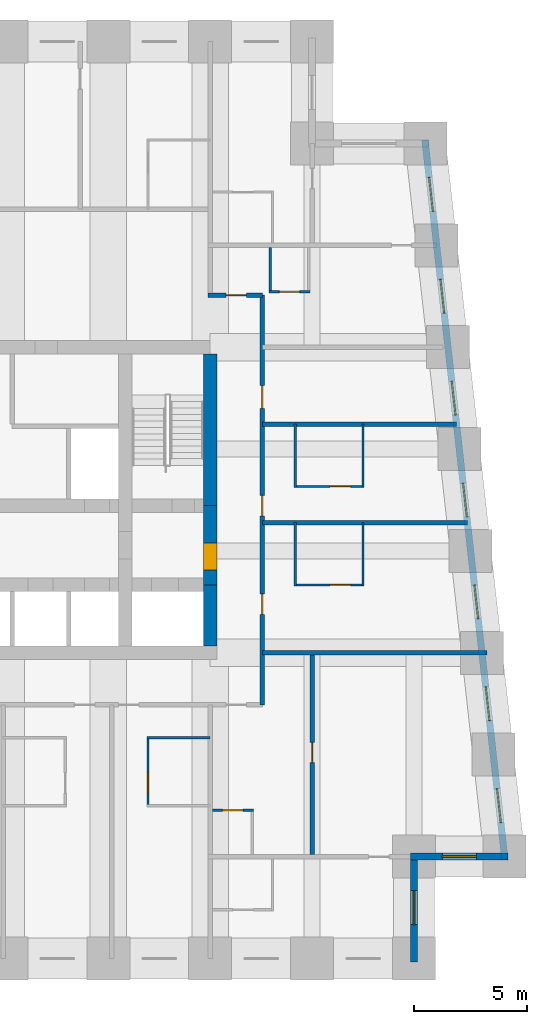
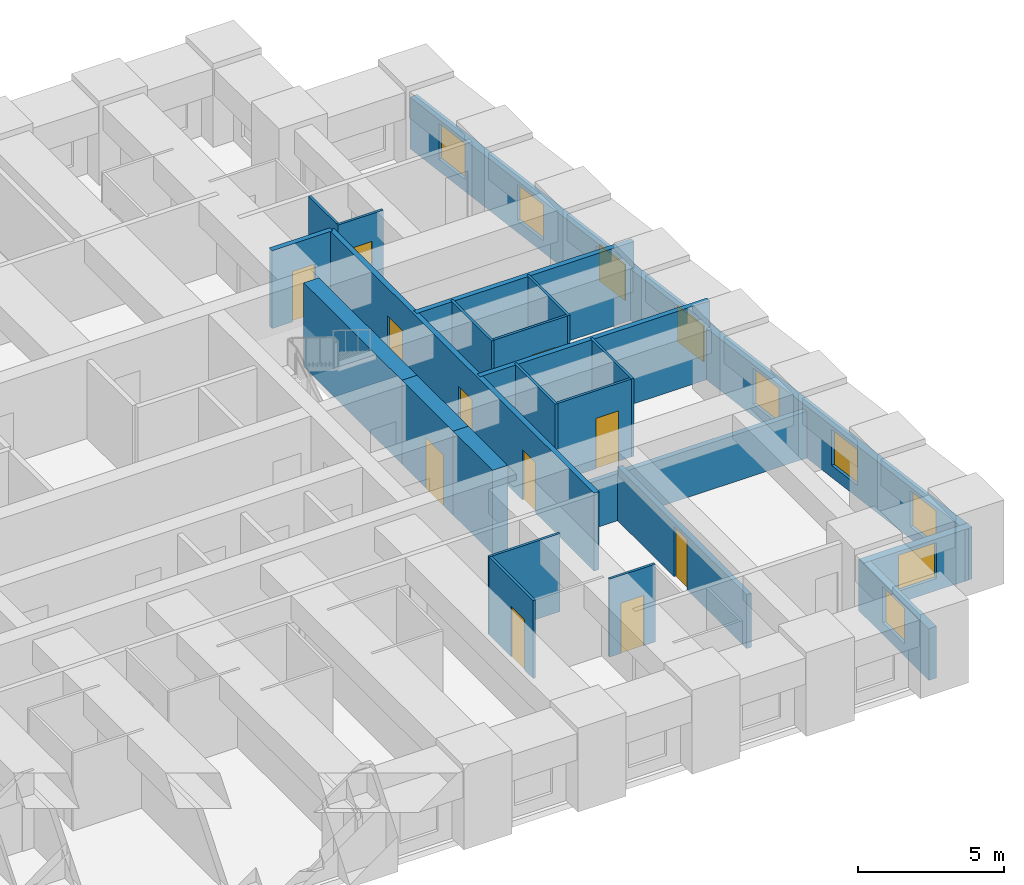
# One storey, part 5 of 8: 23 walls, 11 doors, 9 windows, 20 openings.
"""IFC4 building model written with IfcOpenShell, lengths in metres."""

import ifcopenshell
import ifcopenshell.guid

model = None  # the IFC model being written
_history = None  # IfcOwnerHistory: only IFC2X3 demands one
_inside = {}  # id of a spatial element -> (the spatial element, [elements in it])
_under = {}  # id of a project, library or spatial element -> (it, [spatial elements below it])
_declared = {}  # id of a project -> (the project, [libraries it declares])
_typed = {}  # id of a type object -> (the type object, [elements of that type])
_made_of = {}  # id of a material, layer set ... -> (it, [elements and type objects made of it])


def new_model(schema):
    """Start an empty IFC model of exactly this schema.

    Asked for "IFC4X3", IfcOpenShell would pick the latest addendum, in which some entities
    have other attributes; the version numbers below select the first issue.
    IFC2X3 requires an IfcOwnerHistory on every rooted entity: one is made here for all.
    """
    global model, _history
    if schema == "IFC4X3":
        model = ifcopenshell.file(schema_version=(4, 3, 0, 0))
    else:
        model = ifcopenshell.file(schema=schema)
    _inside.clear()
    _under.clear()
    _declared.clear()
    _typed.clear()
    _made_of.clear()
    _history = None
    if model.schema == "IFC2X3":
        org = make("IfcOrganization", Name="unknown")
        user = make(
            "IfcPersonAndOrganization",
            ThePerson=make("IfcPerson", FamilyName="unknown"),
            TheOrganization=org,
        )
        app = make(
            "IfcApplication",
            ApplicationDeveloper=org,
            Version="unknown",
            ApplicationFullName="unknown",
            ApplicationIdentifier="unknown",
        )
        _history = make(
            "IfcOwnerHistory",
            OwningUser=user,
            OwningApplication=app,
            ChangeAction="ADDED",
            CreationDate=0,
        )
    return model


def make(cls, **values):
    """One entity of the class cls with the attributes given. An attribute that is None is left unset."""
    return model.create_entity(
        cls, **{name: value for name, value in values.items() if value is not None}
    )


def rooted(cls, **values):
    """An entity with a GlobalId (a new one), such as an element, a storey or a relation."""
    return make(cls, GlobalId=ifcopenshell.guid.new(), OwnerHistory=_history, **values)


def si_unit(unit_type, name, prefix=None):
    """IfcSIUnit, for example si_unit("LENGTHUNIT", "METRE", prefix="MILLI")."""
    return make("IfcSIUnit", UnitType=unit_type, Prefix=prefix, Name=name)


def assignment(units):
    """IfcUnitAssignment: the units of a project."""
    return None if units is None else make("IfcUnitAssignment", Units=units)


def point(xyz):
    """IfcCartesianPoint."""
    return None if xyz is None else make("IfcCartesianPoint", Coordinates=xyz)


def direction(xyz):
    """IfcDirection."""
    return None if xyz is None else make("IfcDirection", DirectionRatios=xyz)


def frame(location, z_axis=None, x_axis=None):
    """IfcAxis2Placement3D, a coordinate frame: its origin and axes. An axis left out is left unset."""
    return make(
        "IfcAxis2Placement3D",
        Location=point(location),
        Axis=direction(z_axis),
        RefDirection=direction(x_axis),
    )


def frame_2d(location, x_axis=None):
    """IfcAxis2Placement2D, a coordinate frame in the plane: its origin and x axis."""
    return make(
        "IfcAxis2Placement2D", Location=point(location), RefDirection=direction(x_axis)
    )


def origin():
    """The frame at (0, 0, 0) with its axes left unset."""
    return frame((0.0, 0.0, 0.0))


def place(relative_to, where):
    """IfcLocalPlacement: puts the frame where relative to a parent placement (None: the world)."""
    return make(
        "IfcLocalPlacement", PlacementRelTo=relative_to, RelativePlacement=where
    )


def context(
    kind, dimensions, precision=None, world=None, true_north=None, identifier=None
):
    """IfcGeometricRepresentationContext, for example the 3D "Model" context."""
    return make(
        "IfcGeometricRepresentationContext",
        ContextIdentifier=identifier,
        ContextType=kind,
        CoordinateSpaceDimension=dimensions,
        Precision=precision,
        WorldCoordinateSystem=world,
        TrueNorth=true_north,
    )


def subcontext(parent, identifier, kind, view, scale=None):
    """IfcGeometricRepresentationSubContext, for example "Body" below "Model"."""
    return make(
        "IfcGeometricRepresentationSubContext",
        ContextIdentifier=identifier,
        ContextType=kind,
        ParentContext=parent,
        TargetScale=scale,
        TargetView=view,
    )


def project(units=None, contexts=None):
    """IfcProject with its units and contexts."""
    return rooted(
        "IfcProject",
        Name="project",
        RepresentationContexts=contexts,
        UnitsInContext=assignment(units),
    )


def spatial(cls, under=None, at=None, **own):
    """A site, building, storey or space (cls), placed at a placement, below another one or the project."""
    s = rooted(cls, ObjectPlacement=at, **own)
    if under is not None:
        _under.setdefault(under.id(), (under, []))[1].append(s)
    return s


def profile(cls, at=None, kind="AREA", **sizes):
    """A parametric profile (cls). Its sizes go by their IFC names, for example OverallWidth=200.0."""
    return make(cls, ProfileType=kind, Position=at, **sizes)


def rectangle(**sizes):
    """IfcRectangleProfileDef."""
    return profile("IfcRectangleProfileDef", **sizes)


def extrude(swept, where, along, depth):
    """IfcExtrudedAreaSolid: the profile swept, set in the frame where, extruded along a direction by depth."""
    return make(
        "IfcExtrudedAreaSolid",
        SweptArea=swept,
        Position=where,
        ExtrudedDirection=direction(along),
        Depth=depth,
    )


def shape(context_of_items, identifier, shape_type, items):
    """IfcShapeRepresentation: the items that make up one representation, for example the "Body"."""
    return make(
        "IfcShapeRepresentation",
        ContextOfItems=context_of_items,
        RepresentationIdentifier=identifier,
        RepresentationType=shape_type,
        Items=items,
    )


def material(Name=None, Category=None):
    """IfcMaterial."""
    return make("IfcMaterial", Name=Name, Category=Category)


def layer(
    of_material, thickness, ventilated=None, Name=None, Category=None, Priority=None
):
    """IfcMaterialLayer: one layer of a wall or slab, of a material (None: an air gap)."""
    return make(
        "IfcMaterialLayer",
        Material=of_material,
        LayerThickness=thickness,
        IsVentilated=ventilated,
        Name=Name,
        Category=Category,
        Priority=Priority,
    )


def layer_set(layers, Name=None):
    """IfcMaterialLayerSet."""
    return make("IfcMaterialLayerSet", MaterialLayers=layers, LayerSetName=Name)


def made_of(thing, what):
    """Note that an element or type object is made of a material, layer set ...; save() writes the relation."""
    if what is not None:
        _made_of.setdefault(what.id(), (what, []))[1].append(thing)
    return thing


def type_object(cls, material=None, **own):
    """A type object (cls), such as IfcWallType, which elements share."""
    return made_of(rooted(cls, **own), material)


def element(
    cls,
    number,
    at=None,
    inside=None,
    cuts=None,
    type_object=None,
    material=None,
    context=None,
    identifier="Body",
    shape_type=None,
    held_by="IfcProductDefinitionShape",
    body=None,
    shapes=None,
    **own,
):
    """One element of the class cls, such as IfcWall. Its Tag is "e" and its number.

    at: its placement. inside: the storey or other place that contains it. cuts: it is an
    opening in that element (IfcRelVoidsElement). A single representation is given by context,
    identifier, shape_type and body (its items); several are given by shapes. held_by: the class
    of the entity that holds the representations. save() writes the other relations.
    """
    e = rooted(cls, Tag="e%d" % number, ObjectPlacement=at, **own)
    if body is not None:
        shapes = [shape(context, identifier, shape_type, body)]
    if shapes is not None:
        e.Representation = make(held_by, Representations=shapes)
    if inside is not None:
        _inside.setdefault(inside.id(), (inside, []))[1].append(e)
    if cuts is not None:
        rooted(
            "IfcRelVoidsElement", RelatingBuildingElement=cuts, RelatedOpeningElement=e
        )
    if type_object is not None:
        _typed.setdefault(type_object.id(), (type_object, []))[1].append(e)
    return made_of(e, material)


def fill(opening, filler):
    """IfcRelFillsElement: the door or window that sits in an opening."""
    return rooted(
        "IfcRelFillsElement",
        RelatingOpeningElement=opening,
        RelatedBuildingElement=filler,
    )


def aggregate(whole, parts):
    """IfcRelAggregates: a whole, such as a stair, and the parts it consists of."""
    return rooted("IfcRelAggregates", RelatingObject=whole, RelatedObjects=parts)


def save(model, path):
    """Write the relations noted so far, then the file.

    IfcRelAggregates (storeys below a building ...), IfcRelContainedInSpatialStructure (elements
    in a storey), IfcRelDefinesByType, IfcRelAssociatesMaterial and IfcRelDeclares: one each for
    every whole, place, type object, material and project.
    """
    for whole, parts in _under.values():
        aggregate(whole, parts)
    for where, things in _inside.values():
        rooted(
            "IfcRelContainedInSpatialStructure",
            RelatedElements=things,
            RelatingStructure=where,
        )
    for kind, things in _typed.values():
        rooted("IfcRelDefinesByType", RelatedObjects=things, RelatingType=kind)
    for what, things in _made_of.values():
        rooted("IfcRelAssociatesMaterial", RelatedObjects=things, RelatingMaterial=what)
    for by, libraries in _declared.values():
        rooted("IfcRelDeclares", RelatingContext=by, RelatedDefinitions=libraries)
    model.write(path)


model = new_model("IFC4")

# Units and contexts
model_context = context("Model", 3, precision=1e-05, world=origin(), true_north=direction((0.0, 1.0)))
body_context = subcontext(model_context, "Body", "Model", "MODEL_VIEW")
ifc_project = project(units=[si_unit("LENGTHUNIT", "METRE"), si_unit("AREAUNIT", "SQUARE_METRE"), si_unit("VOLUMEUNIT", "CUBIC_METRE"), si_unit("PLANEANGLEUNIT", "RADIAN"), si_unit("MASSUNIT", "GRAM", prefix="KILO")], contexts=[model_context])

# Site, building, storey
site_placement = place(None, origin())
site = spatial("IfcSite", under=ifc_project, at=site_placement, CompositionType="ELEMENT")
building_placement = place(site_placement, origin())
building = spatial("IfcBuilding", under=site, at=building_placement, Name="Kilele Tower Hotel", CompositionType="ELEMENT")
storey_placement = place(building_placement, frame((0.0, 0.0, 103.89990234375)))
storey = spatial("IfcBuildingStorey", under=building, at=storey_placement, Name="L26", CompositionType="ELEMENT", Elevation=103.89990234375)

# Wall
ifc_material_1 = material(Name="Moisture-resistant board")
ifc_layer_1 = layer(ifc_material_1, 0.10009765625)
ifc_layer_set_1 = layer_set([ifc_layer_1], Name="Moisture-resistant board")
wall_type_1 = type_object("IfcWallType", Name="Bathroom partition 100", PredefinedType="PLUMBINGWALL", material=ifc_layer_set_1)
wall_1_placement = place(storey_placement, frame((33.199951171875, 9.75, 0.0), z_axis=(0.0, 0.0, 1.0), x_axis=(1.0, 0.0, 0.0)))
element("IfcWall", 1, at=wall_1_placement, inside=storey, type_object=wall_type_1, Name="Bathroom partition 100 L26", PredefinedType="PLUMBINGWALL", context=body_context, shape_type="SweptSolid", body=[
    extrude(rectangle(XDim=2.800048828125, YDim=0.10009765625, at=frame_2d((1.39990234375, 0.0))), origin(), (0.0, 0.0, 1.0), 3.25),
])

# Wall, opening, door
wall_2_placement = place(storey_placement, frame((33.25, 9.800048828125, 0.0), z_axis=(0.0, 0.0, 1.0), x_axis=(0.0, -1.0, 0.0)))
wall_2 = element("IfcWall", 2, at=wall_2_placement, inside=storey, type_object=wall_type_1, Name="Bathroom partition 100 L26", PredefinedType="PLUMBINGWALL", context=body_context, shape_type="SweptSolid", body=[
    extrude(rectangle(XDim=3.10009765625, YDim=0.10009765625, at=frame_2d((1.550048828125, 0.0))), origin(), (0.0, 0.0, 1.0), 3.25),
])
opening_1_placement = place(wall_2_placement, frame((2.5, 0.0, 0.0), z_axis=(0.0, 0.0, 1.0), x_axis=(-1.0, 0.0, 0.0)))
opening_1 = element("IfcOpeningElement", 3, at=opening_1_placement, cuts=wall_2, Name="Opening D2A", PredefinedType="OPENING", context=body_context, shape_type="SweptSolid", body=[
    extrude(rectangle(XDim=0.89990234375, YDim=2.10009765625, at=frame_2d((0.449951171875, 1.050048828125))), frame((0.0, 0.06005859375, 0.0), z_axis=(0.0, -1.0, 0.0), x_axis=(1.0, 0.0, 0.0)), (0.0, 0.0, 1.0), 0.1201171875),
])
ifc_material_2 = material(Name="Timber door leaf in hardwood frame", Category="wood")
door_type_1 = type_object("IfcDoorType", Name="Bathroom door 900", OperationType="SINGLE_SWING_LEFT", PredefinedType="DOOR", material=ifc_material_2)
door_1_placement = place(opening_1_placement, origin())
door_1 = element("IfcDoor", 4, at=door_1_placement, inside=storey, type_object=door_type_1, Name="Bathroom door 2605B", OperationType="SINGLE_SWING_LEFT", OverallHeight=2.10009765625, OverallWidth=0.89990234375, PredefinedType="DOOR", context=body_context, shape_type="SweptSolid", body=[
    extrude(rectangle(XDim=0.89990234375, YDim=2.10009765625, at=frame_2d((0.449951171875, 1.050048828125))), frame((0.0, 0.02490234375, 0.0), z_axis=(0.0, -1.0, 0.0), x_axis=(1.0, 0.0, 0.0)), (0.0, 0.0, 1.0), 0.050048828125),
])
fill(opening_1, door_1)

# Walls
for number, where, z_axis, x_axis, name in (
    (5, (39.75, 16.449951171875, 0.0), (0.0, 0.0, 1.0), (0.0, 1.0, 0.0), "Bathroom partition 100 L26"),
    (6, (42.75, 16.449951171875, 0.0), (0.0, 0.0, 1.0), (0.0, 1.0, 0.0), "Bathroom partition 100 L26"),
):
    element("IfcWall", number, at=place(storey_placement, frame(where, z_axis=z_axis, x_axis=x_axis)), inside=storey, type_object=wall_type_1, Name=name, PredefinedType="PLUMBINGWALL", context=body_context, shape_type="SweptSolid", body=[
        extrude(rectangle(XDim=2.800048828125, YDim=0.10009765625, at=frame_2d((1.39990234375, 0.0))), origin(), (0.0, 0.0, 1.0), 3.25),
    ])

# Wall, opening, door
wall_3_placement = place(storey_placement, frame((39.699951171875, 16.5, 0.0), z_axis=(0.0, 0.0, 1.0), x_axis=(1.0, 0.0, 0.0)))
wall_3 = element("IfcWall", 7, at=wall_3_placement, inside=storey, type_object=wall_type_1, Name="Bathroom partition 100 L26", PredefinedType="PLUMBINGWALL", context=body_context, shape_type="SweptSolid", body=[
    extrude(rectangle(XDim=3.10009765625, YDim=0.10009765625, at=frame_2d((1.550048828125, 0.0))), origin(), (0.0, 0.0, 1.0), 3.25),
])
opening_2_placement = place(wall_3_placement, frame((2.5, 0.0, 0.0), z_axis=(0.0, 0.0, 1.0), x_axis=(-1.0, 0.0, 0.0)))
opening_2 = element("IfcOpeningElement", 8, at=opening_2_placement, cuts=wall_3, Name="Opening D2A", PredefinedType="OPENING", context=body_context, shape_type="SweptSolid", body=[
    extrude(rectangle(XDim=0.89990234375, YDim=2.10009765625, at=frame_2d((0.449951171875, 1.050048828125))), frame((0.0, 0.06005859375, 0.0), z_axis=(0.0, -1.0, 0.0), x_axis=(1.0, 0.0, 0.0)), (0.0, 0.0, 1.0), 0.1201171875),
])
door_2_placement = place(opening_2_placement, origin())
door_2 = element("IfcDoor", 9, at=door_2_placement, inside=storey, type_object=door_type_1, Name="Bathroom door 2606B", OperationType="SINGLE_SWING_LEFT", OverallHeight=2.10009765625, OverallWidth=0.89990234375, PredefinedType="DOOR", context=body_context, shape_type="SweptSolid", body=[
    extrude(rectangle(XDim=0.89990234375, YDim=2.10009765625, at=frame_2d((0.449951171875, 1.050048828125))), frame((0.0, 0.02490234375, 0.0), z_axis=(0.0, -1.0, 0.0), x_axis=(1.0, 0.0, 0.0)), (0.0, 0.0, 1.0), 0.050048828125),
])
fill(opening_2, door_2)

# Walls
for number, where, z_axis, x_axis, name in (
    (10, (39.75, 20.800048828125, 0.0), (0.0, 0.0, 1.0), (0.0, 1.0, 0.0), "Bathroom partition 100 L26"),
    (11, (42.75, 20.800048828125, 0.0), (0.0, 0.0, 1.0), (0.0, 1.0, 0.0), "Bathroom partition 100 L26"),
):
    element("IfcWall", number, at=place(storey_placement, frame(where, z_axis=z_axis, x_axis=x_axis)), inside=storey, type_object=wall_type_1, Name=name, PredefinedType="PLUMBINGWALL", context=body_context, shape_type="SweptSolid", body=[
        extrude(rectangle(XDim=2.800048828125, YDim=0.10009765625, at=frame_2d((1.39990234375, 0.0))), origin(), (0.0, 0.0, 1.0), 3.25),
    ])

# Wall, opening, door
wall_4_placement = place(storey_placement, frame((39.699951171875, 20.85009765625, 0.0), z_axis=(0.0, 0.0, 1.0), x_axis=(1.0, 0.0, 0.0)))
wall_4 = element("IfcWall", 12, at=wall_4_placement, inside=storey, type_object=wall_type_1, Name="Bathroom partition 100 L26", PredefinedType="PLUMBINGWALL", context=body_context, shape_type="SweptSolid", body=[
    extrude(rectangle(XDim=3.10009765625, YDim=0.10009765625, at=frame_2d((1.550048828125, 0.0))), origin(), (0.0, 0.0, 1.0), 3.25),
])
opening_3_placement = place(wall_4_placement, frame((2.5, 0.0, 0.0), z_axis=(0.0, 0.0, 1.0), x_axis=(-1.0, 0.0, 0.0)))
opening_3 = element("IfcOpeningElement", 13, at=opening_3_placement, cuts=wall_4, Name="Opening D2A", PredefinedType="OPENING", context=body_context, shape_type="SweptSolid", body=[
    extrude(rectangle(XDim=0.89990234375, YDim=2.10009765625, at=frame_2d((0.449951171875, 1.050048828125))), frame((0.0, 0.06005859375, 0.0), z_axis=(0.0, -1.0, 0.0), x_axis=(1.0, 0.0, 0.0)), (0.0, 0.0, 1.0), 0.1201171875),
])
door_3_placement = place(opening_3_placement, origin())
door_3 = element("IfcDoor", 14, at=door_3_placement, inside=storey, type_object=door_type_1, Name="Bathroom door 2607B", OperationType="SINGLE_SWING_LEFT", OverallHeight=2.10009765625, OverallWidth=0.89990234375, PredefinedType="DOOR", context=body_context, shape_type="SweptSolid", body=[
    extrude(rectangle(XDim=0.89990234375, YDim=2.10009765625, at=frame_2d((0.449951171875, 1.050048828125))), frame((0.0, 0.02490234375, 0.0), z_axis=(0.0, -1.0, 0.0), x_axis=(1.0, 0.0, 0.0)), (0.0, 0.0, 1.0), 0.050048828125),
])
fill(opening_3, door_3)

wall_5_placement = place(storey_placement, frame((36.10009765625, 6.550048828125, 0.0), z_axis=(0.0, 0.0, 1.0), x_axis=(1.0, 0.0, 0.0)))
wall_5 = element("IfcWall", 15, at=wall_5_placement, inside=storey, type_object=wall_type_1, Name="Bathroom partition 100 L26", PredefinedType="PLUMBINGWALL", context=body_context, shape_type="SweptSolid", body=[
    extrude(rectangle(XDim=1.7998046875, YDim=0.10009765625, at=frame_2d((0.89990234375, 0.0))), origin(), (0.0, 0.0, 1.0), 3.25),
])
opening_4_placement = place(wall_5_placement, frame((0.449951171875, 0.0, 0.0)))
opening_4 = element("IfcOpeningElement", 16, at=opening_4_placement, cuts=wall_5, Name="Opening D2A", PredefinedType="OPENING", context=body_context, shape_type="SweptSolid", body=[
    extrude(rectangle(XDim=0.89990234375, YDim=2.10009765625, at=frame_2d((0.449951171875, 1.050048828125))), frame((0.0, 0.06005859375, 0.0), z_axis=(0.0, -1.0, 0.0), x_axis=(1.0, 0.0, 0.0)), (0.0, 0.0, 1.0), 0.1201171875),
])
door_4_placement = place(opening_4_placement, origin())
door_4 = element("IfcDoor", 17, at=door_4_placement, inside=storey, type_object=door_type_1, Name="Bathroom door 2620P", OperationType="SINGLE_SWING_LEFT", OverallHeight=2.10009765625, OverallWidth=0.89990234375, PredefinedType="DOOR", context=body_context, shape_type="SweptSolid", body=[
    extrude(rectangle(XDim=0.89990234375, YDim=2.10009765625, at=frame_2d((0.449951171875, 1.050048828125))), frame((0.0, 0.02490234375, 0.0), z_axis=(0.0, -1.0, 0.0), x_axis=(1.0, 0.0, 0.0)), (0.0, 0.0, 1.0), 0.050048828125),
])
fill(opening_4, door_4)

# Wall
wall_6_placement = place(storey_placement, frame((38.64990234375, 31.39990234375, 0.0), z_axis=(0.0, 0.0, 1.0), x_axis=(0.0, -1.0, 0.0)))
element("IfcWall", 18, at=wall_6_placement, inside=storey, type_object=wall_type_1, Name="Bathroom partition 100 L26", PredefinedType="PLUMBINGWALL", context=body_context, shape_type="SweptSolid", body=[
    extrude(rectangle(XDim=2.0, YDim=0.10009765625, at=frame_2d((1.0, 0.0))), origin(), (0.0, 0.0, 1.0), 3.25),
])

# Wall, opening, door
wall_7_placement = place(storey_placement, frame((38.60009765625, 29.449951171875, 0.0), z_axis=(0.0, 0.0, 1.0), x_axis=(1.0, 0.0, 0.0)))
wall_7 = element("IfcWall", 19, at=wall_7_placement, inside=storey, type_object=wall_type_1, Name="Bathroom partition 100 L26", PredefinedType="PLUMBINGWALL", context=body_context, shape_type="SweptSolid", body=[
    extrude(rectangle(XDim=1.7998046875, YDim=0.10009765625, at=frame_2d((0.89990234375, 0.0))), origin(), (0.0, 0.0, 1.0), 3.25),
])
opening_5_placement = place(wall_7_placement, frame((1.349853515625, 0.0, 0.0), z_axis=(0.0, 0.0, 1.0), x_axis=(-1.0, 0.0, 0.0)))
opening_5 = element("IfcOpeningElement", 20, at=opening_5_placement, cuts=wall_7, Name="Opening D2A", PredefinedType="OPENING", context=body_context, shape_type="SweptSolid", body=[
    extrude(rectangle(XDim=0.89990234375, YDim=2.10009765625, at=frame_2d((0.449951171875, 1.050048828125))), frame((0.0, 0.06005859375, 0.0), z_axis=(0.0, -1.0, 0.0), x_axis=(1.0, 0.0, 0.0)), (0.0, 0.0, 1.0), 0.1201171875),
])
door_5_placement = place(opening_5_placement, origin())
door_5 = element("IfcDoor", 21, at=door_5_placement, inside=storey, type_object=door_type_1, Name="Bathroom door 2623P", OperationType="SINGLE_SWING_RIGHT", OverallHeight=2.10009765625, OverallWidth=0.89990234375, PredefinedType="DOOR", context=body_context, shape_type="SweptSolid", body=[
    extrude(rectangle(XDim=0.89990234375, YDim=2.10009765625, at=frame_2d((0.449951171875, 1.050048828125))), frame((0.0, 0.02490234375, 0.0), z_axis=(0.0, -1.0, 0.0), x_axis=(1.0, 0.0, 0.0)), (0.0, 0.0, 1.0), 0.050048828125),
])
fill(opening_5, door_5)

# Wall
ifc_material_3 = material(Name="Concrete C60/75", Category="concrete")
ifc_layer_2 = layer(ifc_material_3, 0.60009765625)
ifc_layer_set_2 = layer_set([ifc_layer_2], Name="Concrete C60/75")
wall_type_2 = type_object("IfcWallType", Name="Core wall 600 C60/75", PredefinedType="SHEAR", material=ifc_layer_set_2)
wall_8_placement = place(storey_placement, frame((36.0, 13.800048828125, 0.0), z_axis=(0.0, 0.0, 1.0), x_axis=(0.0, 1.0, 0.0)))
element("IfcWall", 22, at=wall_8_placement, inside=storey, type_object=wall_type_2, Name="Core wall E1 L26", PredefinedType="SHEAR", context=body_context, shape_type="SweptSolid", body=[
    extrude(rectangle(XDim=2.699951171875, YDim=0.60009765625, at=frame_2d((1.35009765625, 0.0))), origin(), (0.0, 0.0, 1.0), 3.5),
])

# Wall, opening, door
wall_9_placement = place(storey_placement, frame((36.0, 16.5, 0.0), z_axis=(0.0, 0.0, 1.0), x_axis=(0.0, 1.0, 0.0)))
wall_9 = element("IfcWall", 23, at=wall_9_placement, inside=storey, type_object=wall_type_2, Name="Core wall E2 L26", PredefinedType="SHEAR", context=body_context, shape_type="SweptSolid", body=[
    extrude(rectangle(XDim=3.5, YDim=0.60009765625, at=frame_2d((1.75, 0.0))), origin(), (0.0, 0.0, 1.0), 3.5),
])
opening_6_placement = place(wall_9_placement, frame((0.64990234375, 0.0, 0.0)))
opening_6 = element("IfcOpeningElement", 24, at=opening_6_placement, cuts=wall_9, Name="Opening D4", PredefinedType="OPENING", context=body_context, shape_type="SweptSolid", body=[
    extrude(rectangle(XDim=1.199951171875, YDim=2.10009765625, at=frame_2d((0.60009765625, 1.050048828125))), frame((0.0, 0.31005859375, 0.0), z_axis=(0.0, -1.0, 0.0), x_axis=(1.0, 0.0, 0.0)), (0.0, 0.0, 1.0), 0.6201171875),
])
ifc_material_4 = material(Name="Timber door leaf in hardwood frame", Category="wood")
door_type_2 = type_object("IfcDoorType", Name="Firefighting lobby door 1200", OperationType="SINGLE_SWING_LEFT", PredefinedType="DOOR", material=ifc_material_4)
door_6_placement = place(opening_6_placement, origin())
door_6 = element("IfcDoor", 25, at=door_6_placement, inside=storey, type_object=door_type_2, Name="Lobby door L26", OperationType="SINGLE_SWING_LEFT", OverallHeight=2.10009765625, OverallWidth=1.199951171875, PredefinedType="DOOR", context=body_context, shape_type="SweptSolid", body=[
    extrude(rectangle(XDim=1.199951171875, YDim=2.10009765625, at=frame_2d((0.60009765625, 1.050048828125))), frame((0.0, 0.2998046875, 0.0), z_axis=(0.0, -1.0, 0.0), x_axis=(1.0, 0.0, 0.0)), (0.0, 0.0, 1.0), 0.599609375),
])
fill(opening_6, door_6)

# Wall
wall_10_placement = place(storey_placement, frame((36.0, 20.0, 0.0), z_axis=(0.0, 0.0, 1.0), x_axis=(0.0, 1.0, 0.0)))
element("IfcWall", 26, at=wall_10_placement, inside=storey, type_object=wall_type_2, Name="Core wall E3 L26", PredefinedType="SHEAR", context=body_context, shape_type="SweptSolid", body=[
    extrude(rectangle(XDim=6.699951171875, YDim=0.60009765625, at=frame_2d((3.35009765625, 0.0))), origin(), (0.0, 0.0, 1.0), 3.5),
])

# Wall, opening, door
ifc_material_5 = material(Name="Blockwork, plastered both sides", Category="masonry")
ifc_layer_3 = layer(ifc_material_5, 0.199951171875)
ifc_layer_set_3 = layer_set([ifc_layer_3], Name="Blockwork, plastered both sides")
wall_type_3 = type_object("IfcWallType", Name="Corridor wall 200", PredefinedType="PARTITIONING", material=ifc_layer_set_3)
wall_11_placement = place(storey_placement, frame((35.89990234375, 29.300048828125, 0.0), z_axis=(0.0, 0.0, 1.0), x_axis=(1.0, 0.0, 0.0)))
wall_11 = element("IfcWall", 27, at=wall_11_placement, inside=storey, type_object=wall_type_3, Name="Corridor wall 200 L26", PredefinedType="PARTITIONING", context=body_context, shape_type="SweptSolid", body=[
    extrude(rectangle(XDim=2.400146484375, YDim=0.199951171875, at=frame_2d((1.2001953125, 0.0))), origin(), (0.0, 0.0, 1.0), 3.25),
])
opening_7_placement = place(wall_11_placement, frame((0.800048828125, 0.0, 0.0)))
opening_7 = element("IfcOpeningElement", 28, at=opening_7_placement, cuts=wall_11, Name="Opening D1", PredefinedType="OPENING", context=body_context, shape_type="SweptSolid", body=[
    extrude(rectangle(XDim=0.89990234375, YDim=2.10009765625, at=frame_2d((0.449951171875, 1.050048828125))), frame((0.0, 0.10986328125, 0.0), z_axis=(0.0, -1.0, 0.0), x_axis=(1.0, 0.0, 0.0)), (0.0, 0.0, 1.0), 0.219970703125),
])
ifc_material_6 = material(Name="Timber door leaf in hardwood frame", Category="wood")
door_type_3 = type_object("IfcDoorType", Name="Guest room entrance door 900", OperationType="SINGLE_SWING_LEFT", PredefinedType="DOOR", material=ifc_material_6)
door_7_placement = place(opening_7_placement, origin())
door_7 = element("IfcDoor", 29, at=door_7_placement, inside=storey, type_object=door_type_3, Name="Room entrance 2623", OperationType="SINGLE_SWING_LEFT", OverallHeight=2.10009765625, OverallWidth=0.89990234375, PredefinedType="DOOR", context=body_context, shape_type="SweptSolid", body=[
    extrude(rectangle(XDim=0.89990234375, YDim=2.10009765625, at=frame_2d((0.449951171875, 1.050048828125))), frame((0.0, 0.02490234375, 0.0), z_axis=(0.0, -1.0, 0.0), x_axis=(1.0, 0.0, 0.0)), (0.0, 0.0, 1.0), 0.050048828125),
])
fill(opening_7, door_7)

# Wall, openings, doors
wall_12_placement = place(storey_placement, frame((38.300048828125, 11.199951171875, 0.0), z_axis=(0.0, 0.0, 1.0), x_axis=(0.0, 1.0, 0.0)))
wall_12 = element("IfcWall", 30, at=wall_12_placement, inside=storey, type_object=wall_type_3, Name="Corridor wall 200 L26", PredefinedType="PARTITIONING", context=body_context, shape_type="SweptSolid", body=[
    extrude(rectangle(XDim=18.10009765625, YDim=0.199951171875, at=frame_2d((9.050048828125, 0.0))), origin(), (0.0, 0.0, 1.0), 3.25),
])
opening_8_placement = place(wall_12_placement, frame((4.89990234375, 0.0, 0.0), z_axis=(0.0, 0.0, 1.0), x_axis=(-1.0, 0.0, 0.0)))
opening_8 = element("IfcOpeningElement", 31, at=opening_8_placement, cuts=wall_12, Name="Opening D1", PredefinedType="OPENING", context=body_context, shape_type="SweptSolid", body=[
    extrude(rectangle(XDim=0.89990234375, YDim=2.10009765625, at=frame_2d((0.449951171875, 1.050048828125))), frame((0.0, 0.10986328125, 0.0), z_axis=(0.0, -1.0, 0.0), x_axis=(1.0, 0.0, 0.0)), (0.0, 0.0, 1.0), 0.219970703125),
])
opening_9_placement = place(wall_12_placement, frame((9.25, 0.0, 0.0), z_axis=(0.0, 0.0, 1.0), x_axis=(-1.0, 0.0, 0.0)))
opening_9 = element("IfcOpeningElement", 32, at=opening_9_placement, cuts=wall_12, Name="Opening D1", PredefinedType="OPENING", context=body_context, shape_type="SweptSolid", body=[
    extrude(rectangle(XDim=0.89990234375, YDim=2.10009765625, at=frame_2d((0.449951171875, 1.050048828125))), frame((0.0, 0.10986328125, 0.0), z_axis=(0.0, -1.0, 0.0), x_axis=(1.0, 0.0, 0.0)), (0.0, 0.0, 1.0), 0.219970703125),
])
opening_10_placement = place(wall_12_placement, frame((14.10009765625, 0.0, 0.0), z_axis=(0.0, 0.0, 1.0), x_axis=(-1.0, 0.0, 0.0)))
opening_10 = element("IfcOpeningElement", 33, at=opening_10_placement, cuts=wall_12, Name="Opening D8", PredefinedType="OPENING", context=body_context, shape_type="SweptSolid", body=[
    extrude(rectangle(XDim=1.0, YDim=2.10009765625, at=frame_2d((0.5, 1.050048828125))), frame((0.0, 0.10986328125, 0.0), z_axis=(0.0, -1.0, 0.0), x_axis=(1.0, 0.0, 0.0)), (0.0, 0.0, 1.0), 0.219970703125),
])
ifc_material_7 = material(Name="Timber door leaf in hardwood frame", Category="wood")
door_type_4 = type_object("IfcDoorType", Name="Door 1000", OperationType="SINGLE_SWING_LEFT", PredefinedType="DOOR", material=ifc_material_7)
door_8_placement = place(opening_10_placement, origin())
door_8 = element("IfcDoor", 34, at=door_8_placement, inside=storey, type_object=door_type_4, Name="Room entrance 2608", OperationType="SINGLE_SWING_RIGHT", OverallHeight=2.10009765625, OverallWidth=1.0, PredefinedType="DOOR", context=body_context, shape_type="SweptSolid", body=[
    extrude(rectangle(XDim=1.0, YDim=2.10009765625, at=frame_2d((0.5, 1.050048828125))), frame((0.0, 0.02490234375, 0.0), z_axis=(0.0, -1.0, 0.0), x_axis=(1.0, 0.0, 0.0)), (0.0, 0.0, 1.0), 0.050048828125),
])
fill(opening_10, door_8)
door_9_placement = place(opening_8_placement, origin())
door_9 = element("IfcDoor", 35, at=door_9_placement, inside=storey, type_object=door_type_3, Name="Room entrance 2606", OperationType="SINGLE_SWING_RIGHT", OverallHeight=2.10009765625, OverallWidth=0.89990234375, PredefinedType="DOOR", context=body_context, shape_type="SweptSolid", body=[
    extrude(rectangle(XDim=0.89990234375, YDim=2.10009765625, at=frame_2d((0.449951171875, 1.050048828125))), frame((0.0, 0.02490234375, 0.0), z_axis=(0.0, -1.0, 0.0), x_axis=(1.0, 0.0, 0.0)), (0.0, 0.0, 1.0), 0.050048828125),
])
fill(opening_8, door_9)
door_10_placement = place(opening_9_placement, origin())
door_10 = element("IfcDoor", 36, at=door_10_placement, inside=storey, type_object=door_type_3, Name="Room entrance 2607", OperationType="SINGLE_SWING_RIGHT", OverallHeight=2.10009765625, OverallWidth=0.89990234375, PredefinedType="DOOR", context=body_context, shape_type="SweptSolid", body=[
    extrude(rectangle(XDim=0.89990234375, YDim=2.10009765625, at=frame_2d((0.449951171875, 1.050048828125))), frame((0.0, 0.02490234375, 0.0), z_axis=(0.0, -1.0, 0.0), x_axis=(1.0, 0.0, 0.0)), (0.0, 0.0, 1.0), 0.050048828125),
])
fill(opening_9, door_10)

# Wall, opening, door
ifc_material_8 = material(Name="Blockwork, plastered both sides", Category="masonry")
ifc_layer_4 = layer(ifc_material_8, 0.199951171875)
ifc_layer_set_4 = layer_set([ifc_layer_4], Name="Blockwork, plastered both sides")
wall_type_4 = type_object("IfcWallType", Name="Partition wall 200", PredefinedType="PARTITIONING", material=ifc_layer_set_4)
wall_13_placement = place(storey_placement, frame((40.5, 4.60009765625, 0.0), z_axis=(0.0, 0.0, 1.0), x_axis=(0.0, 1.0, 0.0)))
wall_13 = element("IfcWall", 37, at=wall_13_placement, inside=storey, type_object=wall_type_4, Name="Partition wall 200 L26", PredefinedType="PARTITIONING", context=body_context, shape_type="SweptSolid", body=[
    extrude(rectangle(XDim=8.7998046875, YDim=0.199951171875, at=frame_2d((4.39990234375, 0.0))), origin(), (0.0, 0.0, 1.0), 2.25),
])
opening_11_placement = place(wall_13_placement, frame((4.050048828125, 0.0, 0.0)))
opening_11 = element("IfcOpeningElement", 38, at=opening_11_placement, cuts=wall_13, Name="Opening D3", PredefinedType="OPENING", context=body_context, shape_type="SweptSolid", body=[
    extrude(rectangle(XDim=0.89990234375, YDim=2.10009765625, at=frame_2d((0.449951171875, 1.050048828125))), frame((0.0, 0.10986328125, 0.0), z_axis=(0.0, -1.0, 0.0), x_axis=(1.0, 0.0, 0.0)), (0.0, 0.0, 1.0), 0.219970703125),
])
ifc_material_9 = material(Name="Timber door leaf in hardwood frame", Category="wood")
door_type_5 = type_object("IfcDoorType", Name="Suite internal door 900", OperationType="SINGLE_SWING_LEFT", PredefinedType="DOOR", material=ifc_material_9)
door_11_placement = place(opening_11_placement, origin())
door_11 = element("IfcDoor", 39, at=door_11_placement, inside=storey, type_object=door_type_5, Name="Suite door 2621", OperationType="SINGLE_SWING_RIGHT", OverallHeight=2.10009765625, OverallWidth=0.89990234375, PredefinedType="DOOR", context=body_context, shape_type="SweptSolid", body=[
    extrude(rectangle(XDim=0.89990234375, YDim=2.10009765625, at=frame_2d((0.449951171875, 1.050048828125))), frame((0.0, 0.02490234375, 0.0), z_axis=(0.0, -1.0, 0.0), x_axis=(1.0, 0.0, 0.0)), (0.0, 0.0, 1.0), 0.050048828125),
])
fill(opening_11, door_11)

# Walls
ifc_material_10 = material(Name="Blockwork, plastered both sides", Category="masonry")
ifc_layer_5 = layer(ifc_material_10, 0.199951171875)
ifc_layer_set_5 = layer_set([ifc_layer_5], Name="Blockwork, plastered both sides")
wall_type_5 = type_object("IfcWallType", Name="Party wall 200", PredefinedType="PARTITIONING", material=ifc_layer_set_5)
wall_14_placement = place(storey_placement, frame((38.300048828125, 19.25, 0.0), z_axis=(0.0, 0.0, 1.0), x_axis=(1.0, 0.0, 0.0)))
element("IfcWall", 40, at=wall_14_placement, inside=storey, type_object=wall_type_5, Name="Party wall 200 L26", PredefinedType="PARTITIONING", context=body_context, shape_type="SweptSolid", body=[
    extrude(rectangle(XDim=9.06005859375, YDim=0.199951171875, at=frame_2d((4.530029296875, 0.0))), origin(), (0.0, 0.0, 1.0), 3.25),
])
wall_15_placement = place(storey_placement, frame((38.300048828125, 23.60009765625, 0.0), z_axis=(0.0, 0.0, 1.0), x_axis=(1.0, 0.0, 0.0)))
element("IfcWall", 41, at=wall_15_placement, inside=storey, type_object=wall_type_5, Name="Party wall 200 L26", PredefinedType="PARTITIONING", context=body_context, shape_type="SweptSolid", body=[
    extrude(rectangle(XDim=8.576904296875, YDim=0.199951171875, at=frame_2d((4.28857421875, 0.0))), origin(), (0.0, 0.0, 1.0), 3.25),
])
wall_16_placement = place(storey_placement, frame((38.300048828125, 13.5, 0.0), z_axis=(0.0, 0.0, 1.0), x_axis=(1.0, 0.0, 0.0)))
element("IfcWall", 42, at=wall_16_placement, inside=storey, type_object=wall_type_5, Name="Party wall 200 L26", PredefinedType="PARTITIONING", context=body_context, shape_type="SweptSolid", body=[
    extrude(rectangle(XDim=9.921142578125, YDim=0.199951171875, at=frame_2d((4.96044921875, 0.0))), origin(), (0.0, 0.0, 1.0), 1.9501953125),
])

# Wall, opening, window
ifc_material_11 = material(Name="Concrete C40/50 precast", Category="concrete")
ifc_layer_6 = layer(ifc_material_11, 0.260009765625, Name="Precast backing", Category="LoadBearing")
ifc_material_12 = material(Name="Reconstituted stone finish", Category="masonry")
ifc_layer_7 = layer(ifc_material_12, 0.0400390625, Name="Face mix", Category="Finish")
ifc_layer_set_6 = layer_set([ifc_layer_6, ifc_layer_7], Name="Precast concrete C40/50, reconstituted stone finish")
wall_type_6 = type_object("IfcWallType", Name="Precast stone facade wall 300", PredefinedType="STANDARD", material=ifc_layer_set_6)
wall_17_placement = place(storey_placement, frame((45.0, -0.14990234375, 0.0), z_axis=(0.0, 0.0, 1.0), x_axis=(0.0, 1.0, 0.0)))
wall_17 = element("IfcWall", 43, at=wall_17_placement, inside=storey, type_object=wall_type_6, Name="Facade wall L26 edge 4", PredefinedType="STANDARD", context=body_context, shape_type="SweptSolid", body=[
    extrude(rectangle(XDim=4.7998046875, YDim=0.300048828125, at=frame_2d((2.39990234375, 0.0))), origin(), (0.0, 0.0, 1.0), 2.150146484375),
])
opening_12_placement = place(wall_17_placement, frame((1.64990234375, 0.0, 0.5)))
opening_12 = element("IfcOpeningElement", 44, at=opening_12_placement, cuts=wall_17, Name="Opening W2", PredefinedType="OPENING", context=body_context, shape_type="SweptSolid", body=[
    extrude(rectangle(XDim=1.5, YDim=1.5, at=frame_2d((0.75, 0.75))), frame((0.0, 0.159912109375, 0.0), z_axis=(0.0, -1.0, 0.0), x_axis=(1.0, 0.0, 0.0)), (0.0, 0.0, 1.0), 0.320068359375),
])
ifc_material_13 = material(Name="Aluminium frame, clear double glazing", Category="aluminium")
window_type = type_object("IfcWindowType", Name="Window W2 1500 x 1500", PartitioningType="SINGLE_PANEL", PredefinedType="WINDOW", material=ifc_material_13)
window_1_placement = place(opening_12_placement, origin())
window_1 = element("IfcWindow", 45, at=window_1_placement, inside=storey, type_object=window_type, Name="Window L26", OverallHeight=1.5, OverallWidth=1.5, PartitioningType="SINGLE_PANEL", PredefinedType="WINDOW", context=body_context, shape_type="SweptSolid", body=[
    extrude(rectangle(XDim=1.5, YDim=1.5, at=frame_2d((0.75, 0.75))), frame((0.0, 0.030029296875, 0.0), z_axis=(0.0, -1.0, 0.0), x_axis=(1.0, 0.0, 0.0)), (0.0, 0.0, 1.0), 0.06005859375),
])
fill(opening_12, window_1)

wall_18_placement = place(storey_placement, frame((44.85009765625, 4.5, 0.0), z_axis=(0.0, 0.0, 1.0), x_axis=(1.0, 0.0, 0.0)))
wall_18 = element("IfcWall", 46, at=wall_18_placement, inside=storey, type_object=wall_type_6, Name="Facade wall L26 edge 5", PredefinedType="STANDARD", context=body_context, shape_type="SweptSolid", body=[
    extrude(rectangle(XDim=4.2998046875, YDim=0.300048828125, at=frame_2d((2.14990234375, 0.0))), origin(), (0.0, 0.0, 1.0), 2.150146484375),
])
opening_13_placement = place(wall_18_placement, frame((1.39990234375, 0.0, 0.5)))
opening_13 = element("IfcOpeningElement", 47, at=opening_13_placement, cuts=wall_18, Name="Opening W2", PredefinedType="OPENING", context=body_context, shape_type="SweptSolid", body=[
    extrude(rectangle(XDim=1.5, YDim=1.5, at=frame_2d((0.75, 0.75))), frame((0.0, 0.159912109375, 0.0), z_axis=(0.0, -1.0, 0.0), x_axis=(1.0, 0.0, 0.0)), (0.0, 0.0, 1.0), 0.320068359375),
])
window_2_placement = place(opening_13_placement, origin())
window_2 = element("IfcWindow", 48, at=window_2_placement, inside=storey, type_object=window_type, Name="Window L26", OverallHeight=1.5, OverallWidth=1.5, PartitioningType="SINGLE_PANEL", PredefinedType="WINDOW", context=body_context, shape_type="SweptSolid", body=[
    extrude(rectangle(XDim=1.5, YDim=1.5, at=frame_2d((0.75, 0.75))), frame((0.0, 0.030029296875, 0.0), z_axis=(0.0, -1.0, 0.0), x_axis=(1.0, 0.0, 0.0)), (0.0, 0.0, 1.0), 0.06005859375),
])
fill(opening_13, window_2)

# Wall, openings, windows
wall_19_placement = place(storey_placement, frame((49.0166015625, 4.350830078125, 0.0), z_axis=(0.0, 0.0, 1.0), x_axis=(-0.110433201132, 0.993883548555, 0.0)))
wall_19 = element("IfcWall", 49, at=wall_19_placement, inside=storey, type_object=wall_type_6, Name="Facade wall L26 edge 6", PredefinedType="STANDARD", context=body_context, shape_type="SweptSolid", body=[
    extrude(rectangle(XDim=31.994140625, YDim=0.300048828125, at=frame_2d((15.9970703125, 0.0))), origin(), (0.0, 0.0, 1.0), 2.150146484375),
])
opening_14_placement = place(wall_19_placement, frame((1.6640625, 0.0, 0.5)))
opening_14 = element("IfcOpeningElement", 50, at=opening_14_placement, cuts=wall_19, Name="Opening W2", PredefinedType="OPENING", context=body_context, shape_type="SweptSolid", body=[
    extrude(rectangle(XDim=1.5, YDim=1.5, at=frame_2d((0.75, 0.75))), frame((0.0, 0.159912109375, 0.0), z_axis=(0.0, -1.0, 0.0), x_axis=(1.0, 0.0, 0.0)), (0.0, 0.0, 1.0), 0.320068359375),
])
opening_15_placement = place(wall_19_placement, frame((6.19189453125, 0.0, 0.5)))
opening_15 = element("IfcOpeningElement", 51, at=opening_15_placement, cuts=wall_19, Name="Opening W2", PredefinedType="OPENING", context=body_context, shape_type="SweptSolid", body=[
    extrude(rectangle(XDim=1.5, YDim=1.5, at=frame_2d((0.75, 0.75))), frame((0.0, 0.159912109375, 0.0), z_axis=(0.0, -1.0, 0.0), x_axis=(1.0, 0.0, 0.0)), (0.0, 0.0, 1.0), 0.320068359375),
])
opening_16_placement = place(wall_19_placement, frame((10.718994140625, 0.0, 0.5)))
opening_16 = element("IfcOpeningElement", 52, at=opening_16_placement, cuts=wall_19, Name="Opening W2", PredefinedType="OPENING", context=body_context, shape_type="SweptSolid", body=[
    extrude(rectangle(XDim=1.5, YDim=1.5, at=frame_2d((0.75, 0.75))), frame((0.0, 0.159912109375, 0.0), z_axis=(0.0, -1.0, 0.0), x_axis=(1.0, 0.0, 0.0)), (0.0, 0.0, 1.0), 0.320068359375),
])
opening_17_placement = place(wall_19_placement, frame((15.2470703125, 0.0, 0.5)))
opening_17 = element("IfcOpeningElement", 53, at=opening_17_placement, cuts=wall_19, Name="Opening W2", PredefinedType="OPENING", context=body_context, shape_type="SweptSolid", body=[
    extrude(rectangle(XDim=1.5, YDim=1.5, at=frame_2d((0.75, 0.75))), frame((0.0, 0.159912109375, 0.0), z_axis=(0.0, -1.0, 0.0), x_axis=(1.0, 0.0, 0.0)), (0.0, 0.0, 1.0), 0.320068359375),
])
opening_18_placement = place(wall_19_placement, frame((19.77490234375, 0.0, 0.5)))
opening_18 = element("IfcOpeningElement", 54, at=opening_18_placement, cuts=wall_19, Name="Opening W2", PredefinedType="OPENING", context=body_context, shape_type="SweptSolid", body=[
    extrude(rectangle(XDim=1.5, YDim=1.5, at=frame_2d((0.75, 0.75))), frame((0.0, 0.159912109375, 0.0), z_axis=(0.0, -1.0, 0.0), x_axis=(1.0, 0.0, 0.0)), (0.0, 0.0, 1.0), 0.320068359375),
])
opening_19_placement = place(wall_19_placement, frame((24.302001953125, 0.0, 0.5)))
opening_19 = element("IfcOpeningElement", 55, at=opening_19_placement, cuts=wall_19, Name="Opening W2", PredefinedType="OPENING", context=body_context, shape_type="SweptSolid", body=[
    extrude(rectangle(XDim=1.5, YDim=1.5, at=frame_2d((0.75, 0.75))), frame((0.0, 0.159912109375, 0.0), z_axis=(0.0, -1.0, 0.0), x_axis=(1.0, 0.0, 0.0)), (0.0, 0.0, 1.0), 0.320068359375),
])
opening_20_placement = place(wall_19_placement, frame((28.830078125, 0.0, 0.5)))
opening_20 = element("IfcOpeningElement", 56, at=opening_20_placement, cuts=wall_19, Name="Opening W2", PredefinedType="OPENING", context=body_context, shape_type="SweptSolid", body=[
    extrude(rectangle(XDim=1.5, YDim=1.5, at=frame_2d((0.75, 0.75))), frame((0.0, 0.159912109375, 0.0), z_axis=(0.0, -1.0, 0.0), x_axis=(1.0, 0.0, 0.0)), (0.0, 0.0, 1.0), 0.320068359375),
])
window_3_placement = place(opening_14_placement, origin())
window_3 = element("IfcWindow", 57, at=window_3_placement, inside=storey, type_object=window_type, Name="Window L26", OverallHeight=1.5, OverallWidth=1.5, PartitioningType="SINGLE_PANEL", PredefinedType="WINDOW", context=body_context, shape_type="SweptSolid", body=[
    extrude(rectangle(XDim=1.5, YDim=1.5, at=frame_2d((0.75, 0.75))), frame((0.0, 0.030029296875, 0.0), z_axis=(0.0, -1.0, 0.0), x_axis=(1.0, 0.0, 0.0)), (0.0, 0.0, 1.0), 0.06005859375),
])
fill(opening_14, window_3)
window_4_placement = place(opening_15_placement, origin())
window_4 = element("IfcWindow", 58, at=window_4_placement, inside=storey, type_object=window_type, Name="Window L26", OverallHeight=1.5, OverallWidth=1.5, PartitioningType="SINGLE_PANEL", PredefinedType="WINDOW", context=body_context, shape_type="SweptSolid", body=[
    extrude(rectangle(XDim=1.5, YDim=1.5, at=frame_2d((0.75, 0.75))), frame((0.0, 0.030029296875, 0.0), z_axis=(0.0, -1.0, 0.0), x_axis=(1.0, 0.0, 0.0)), (0.0, 0.0, 1.0), 0.06005859375),
])
fill(opening_15, window_4)
window_5_placement = place(opening_16_placement, origin())
window_5 = element("IfcWindow", 59, at=window_5_placement, inside=storey, type_object=window_type, Name="Window L26", OverallHeight=1.5, OverallWidth=1.5, PartitioningType="SINGLE_PANEL", PredefinedType="WINDOW", context=body_context, shape_type="SweptSolid", body=[
    extrude(rectangle(XDim=1.5, YDim=1.5, at=frame_2d((0.75, 0.75))), frame((0.0, 0.030029296875, 0.0), z_axis=(0.0, -1.0, 0.0), x_axis=(1.0, 0.0, 0.0)), (0.0, 0.0, 1.0), 0.06005859375),
])
fill(opening_16, window_5)
window_6_placement = place(opening_17_placement, origin())
window_6 = element("IfcWindow", 60, at=window_6_placement, inside=storey, type_object=window_type, Name="Window L26", OverallHeight=1.5, OverallWidth=1.5, PartitioningType="SINGLE_PANEL", PredefinedType="WINDOW", context=body_context, shape_type="SweptSolid", body=[
    extrude(rectangle(XDim=1.5, YDim=1.5, at=frame_2d((0.75, 0.75))), frame((0.0, 0.030029296875, 0.0), z_axis=(0.0, -1.0, 0.0), x_axis=(1.0, 0.0, 0.0)), (0.0, 0.0, 1.0), 0.06005859375),
])
fill(opening_17, window_6)
window_7_placement = place(opening_18_placement, origin())
window_7 = element("IfcWindow", 61, at=window_7_placement, inside=storey, type_object=window_type, Name="Window L26", OverallHeight=1.5, OverallWidth=1.5, PartitioningType="SINGLE_PANEL", PredefinedType="WINDOW", context=body_context, shape_type="SweptSolid", body=[
    extrude(rectangle(XDim=1.5, YDim=1.5, at=frame_2d((0.75, 0.75))), frame((0.0, 0.030029296875, 0.0), z_axis=(0.0, -1.0, 0.0), x_axis=(1.0, 0.0, 0.0)), (0.0, 0.0, 1.0), 0.06005859375),
])
fill(opening_18, window_7)
window_8_placement = place(opening_19_placement, origin())
window_8 = element("IfcWindow", 62, at=window_8_placement, inside=storey, type_object=window_type, Name="Window L26", OverallHeight=1.5, OverallWidth=1.5, PartitioningType="SINGLE_PANEL", PredefinedType="WINDOW", context=body_context, shape_type="SweptSolid", body=[
    extrude(rectangle(XDim=1.5, YDim=1.5, at=frame_2d((0.75, 0.75))), frame((0.0, 0.030029296875, 0.0), z_axis=(0.0, -1.0, 0.0), x_axis=(1.0, 0.0, 0.0)), (0.0, 0.0, 1.0), 0.06005859375),
])
fill(opening_19, window_8)
window_9_placement = place(opening_20_placement, origin())
window_9 = element("IfcWindow", 63, at=window_9_placement, inside=storey, type_object=window_type, Name="Window L26", OverallHeight=1.5, OverallWidth=1.5, PartitioningType="SINGLE_PANEL", PredefinedType="WINDOW", context=body_context, shape_type="SweptSolid", body=[
    extrude(rectangle(XDim=1.5, YDim=1.5, at=frame_2d((0.75, 0.75))), frame((0.0, 0.030029296875, 0.0), z_axis=(0.0, -1.0, 0.0), x_axis=(1.0, 0.0, 0.0)), (0.0, 0.0, 1.0), 0.06005859375),
])
fill(opening_20, window_9)

save(model, "model.ifc")
